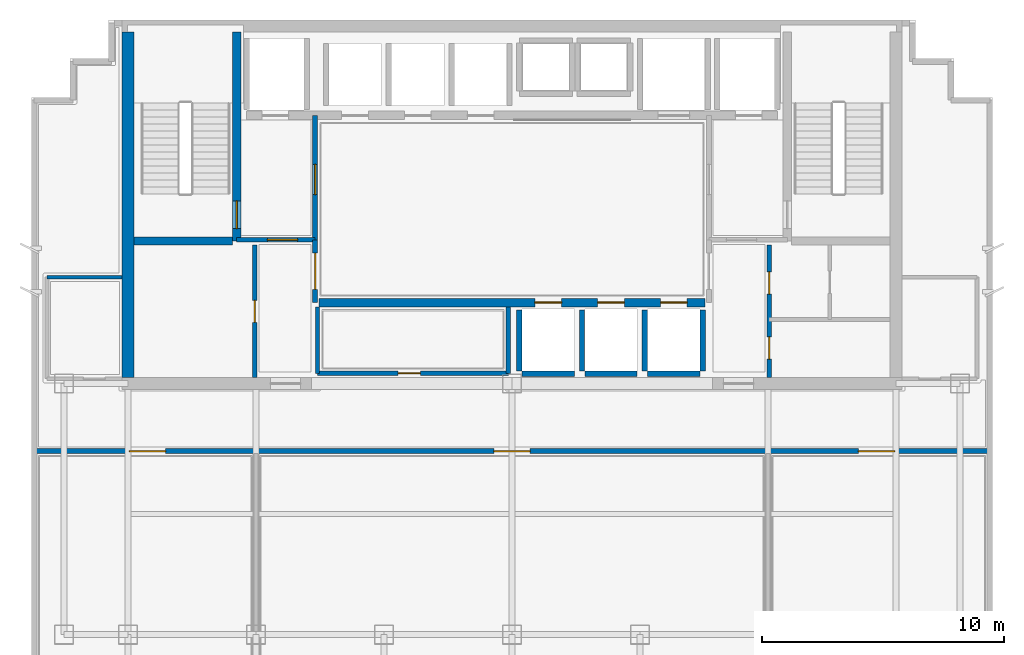
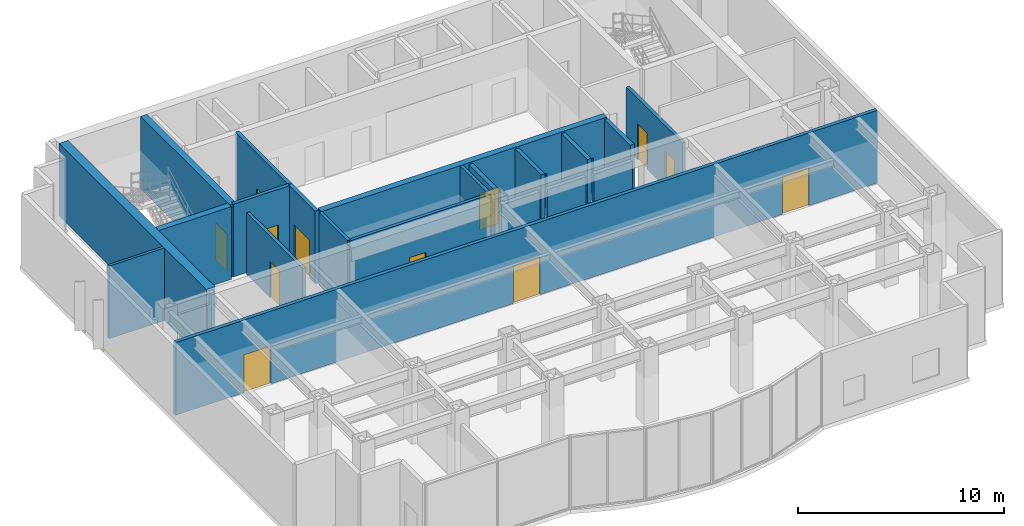
# One storey, part 4 of 8: 21 walls, 14 doors, 14 openings.
"""IFC4 building model written with IfcOpenShell, lengths in metres."""

from ifc_helpers import new_model, si_unit, direction, frame, frame_2d, origin, place, context, subcontext, project, spatial, rectangle, extrude, material, layer, layer_set, type_object, element, fill, save


model = new_model("IFC4")

# Units and contexts
model_context = context("Model", 3, precision=1e-05, world=origin(), true_north=direction((0.0, 1.0)))
body_context = subcontext(model_context, "Body", "Model", "MODEL_VIEW")
ifc_project = project(units=[si_unit("LENGTHUNIT", "METRE"), si_unit("AREAUNIT", "SQUARE_METRE"), si_unit("VOLUMEUNIT", "CUBIC_METRE"), si_unit("PLANEANGLEUNIT", "RADIAN"), si_unit("MASSUNIT", "GRAM", prefix="KILO")], contexts=[model_context])

# Site, building, storey
site_placement = place(None, origin())
site = spatial("IfcSite", under=ifc_project, at=site_placement, CompositionType="ELEMENT")
building_placement = place(site_placement, origin())
building = spatial("IfcBuilding", under=site, at=building_placement, Name="Qianlan Lanfeng Residences", CompositionType="ELEMENT")
storey_placement = place(building_placement, frame((0.0, 0.0, 192.199951171875)))
storey = spatial("IfcBuildingStorey", under=building, at=storey_placement, Name="L52", CompositionType="ELEMENT", Elevation=192.199951171875)

# Wall, opening, door
ifc_material_1 = material(Name="Concrete C49", Category="concrete")
ifc_layer_1 = layer(ifc_material_1, 0.35009765625)
ifc_layer_set_1 = layer_set([ifc_layer_1], Name="Concrete C49")
wall_type_1 = type_object("IfcWallType", Name="CW-RC-350", PredefinedType="SHEAR", material=ifc_layer_set_1)
wall_1_placement = place(storey_placement, frame((15.10009765625, 31.10009765625, 0.0), z_axis=(0.0, 0.0, 1.0), x_axis=(0.0, 1.0, 0.0)))
wall_1 = element("IfcWall", 1, at=wall_1_placement, inside=storey, type_object=wall_type_1, Name="L52 Core Shear Wall ST1E", PredefinedType="SHEAR", context=body_context, shape_type="SweptSolid", body=[
    extrude(rectangle(XDim=8.64990234375, YDim=0.35009765625, at=frame_2d((4.324951171875, 0.0))), origin(), (0.0, 0.0, 1.0), 4.31005859375),
])
opening_1_placement = place(wall_1_placement, frame((0.510009765625, 0.0, 0.0)))
opening_1 = element("IfcOpeningElement", 2, at=opening_1_placement, cuts=wall_1, Name="Opening L52-D07", PredefinedType="OPENING", context=body_context, shape_type="SweptSolid", body=[
    extrude(rectangle(XDim=1.14990234375, YDim=2.199951171875, at=frame_2d((0.574951171875, 1.10009765625))), frame((0.0, 0.18505859375, 0.0), z_axis=(0.0, -1.0, 0.0), x_axis=(1.0, 0.0, 0.0)), (0.0, 0.0, 1.0), 0.3701171875),
])
ifc_material_2 = material(Name="Painted Galvanised Steel Fire Door", Category="steel")
door_type_1 = type_object("IfcDoorType", Name="DT-ST1", OperationType="NOTDEFINED", PredefinedType="DOOR", material=ifc_material_2)
door_1_placement = place(opening_1_placement, frame((1.14990234375, 0.0, 0.0), z_axis=(0.0, 0.0, 1.0), x_axis=(-1.0, 0.0, 0.0)))
door_1 = element("IfcDoor", 3, at=door_1_placement, inside=storey, type_object=door_type_1, Name="L52 Exit Stair ST-1 Door L52-D07 (DT-ST1)", OperationType="SINGLE_SWING_RIGHT", OverallHeight=2.199951171875, OverallWidth=1.14990234375, PredefinedType="DOOR", context=body_context, shape_type="SweptSolid", body=[
    extrude(rectangle(XDim=1.14990234375, YDim=2.199951171875, at=frame_2d((0.574951171875, 1.10009765625))), frame((0.0, 0.02490234375, 0.0), z_axis=(0.0, -1.0, 0.0), x_axis=(1.0, 0.0, 0.0)), (0.0, 0.0, 1.0), 0.050048828125),
])
fill(opening_1, door_1)

# Wall
wall_2_placement = place(storey_placement, frame((10.85009765625, 31.10009765625, 0.0), z_axis=(0.0, 0.0, 1.0), x_axis=(1.0, 0.0, 0.0)))
element("IfcWall", 4, at=wall_2_placement, inside=storey, type_object=wall_type_1, Name="L52 Core Shear Wall ST1S", PredefinedType="SHEAR", context=body_context, shape_type="SweptSolid", body=[
    extrude(rectangle(XDim=4.074951171875, YDim=0.35009765625, at=frame_2d((2.03759765625, 0.0))), origin(), (0.0, 0.0, 1.0), 4.31005859375),
])

# Wall, openings, doors
wall_3_placement = place(storey_placement, frame((18.5, 28.550048828125, 0.0), z_axis=(0.0, 0.0, 1.0), x_axis=(1.0, 0.0, 0.0)))
wall_3 = element("IfcWall", 5, at=wall_3_placement, inside=storey, type_object=wall_type_1, Name="L52 Core Shear Wall LBS", PredefinedType="SHEAR", context=body_context, shape_type="SweptSolid", body=[
    extrude(rectangle(XDim=16.0, YDim=0.35009765625, at=frame_2d((8.0, 0.0))), origin(), (0.0, 0.0, 1.0), 4.31005859375),
])
opening_2_placement = place(wall_3_placement, frame((8.949951171875, 0.0, 0.0)))
opening_2 = element("IfcOpeningElement", 6, at=opening_2_placement, cuts=wall_3, Name="Opening L52-LD-PL-M1", PredefinedType="OPENING", context=body_context, shape_type="SweptSolid", body=[
    extrude(rectangle(XDim=1.10009765625, YDim=2.14990234375, at=frame_2d((0.550048828125, 1.074951171875))), frame((0.0, 0.18505859375, 0.0), z_axis=(0.0, -1.0, 0.0), x_axis=(1.0, 0.0, 0.0)), (0.0, 0.0, 1.0), 0.3701171875),
])
opening_3_placement = place(wall_3_placement, frame((11.550048828125, 0.0, 0.0)))
opening_3 = element("IfcOpeningElement", 7, at=opening_3_placement, cuts=wall_3, Name="Opening L52-LD-PL-M2", PredefinedType="OPENING", context=body_context, shape_type="SweptSolid", body=[
    extrude(rectangle(XDim=1.10009765625, YDim=2.14990234375, at=frame_2d((0.550048828125, 1.074951171875))), frame((0.0, 0.18505859375, 0.0), z_axis=(0.0, -1.0, 0.0), x_axis=(1.0, 0.0, 0.0)), (0.0, 0.0, 1.0), 0.3701171875),
])
opening_4_placement = place(wall_3_placement, frame((14.14990234375, 0.0, 0.0)))
opening_4 = element("IfcOpeningElement", 8, at=opening_4_placement, cuts=wall_3, Name="Opening L52-LD-PL-M3", PredefinedType="OPENING", context=body_context, shape_type="SweptSolid", body=[
    extrude(rectangle(XDim=1.10009765625, YDim=2.14990234375, at=frame_2d((0.550048828125, 1.074951171875))), frame((0.0, 0.18505859375, 0.0), z_axis=(0.0, -1.0, 0.0), x_axis=(1.0, 0.0, 0.0)), (0.0, 0.0, 1.0), 0.3701171875),
])
ifc_material_3 = material(Name="Brushed Stainless Steel Sliding Lift Door", Category="steel")
door_type_2 = type_object("IfcDoorType", Name="LD-01", OperationType="NOTDEFINED", PredefinedType="DOOR", material=ifc_material_3)
door_2_placement = place(opening_2_placement, origin())
door_2 = element("IfcDoor", 9, at=door_2_placement, inside=storey, type_object=door_type_2, Name="L52 Elevator PL-M1 Sliding Landing Door", OperationType="DOUBLE_DOOR_SLIDING", OverallHeight=2.14990234375, OverallWidth=1.10009765625, PredefinedType="DOOR", context=body_context, shape_type="SweptSolid", body=[
    extrude(rectangle(XDim=1.10009765625, YDim=2.14990234375, at=frame_2d((0.550048828125, 1.074951171875))), frame((0.0, 0.02490234375, 0.0), z_axis=(0.0, -1.0, 0.0), x_axis=(1.0, 0.0, 0.0)), (0.0, 0.0, 1.0), 0.050048828125),
])
fill(opening_2, door_2)
door_3_placement = place(opening_3_placement, origin())
door_3 = element("IfcDoor", 10, at=door_3_placement, inside=storey, type_object=door_type_2, Name="L52 Elevator PL-M2 Sliding Landing Door", OperationType="DOUBLE_DOOR_SLIDING", OverallHeight=2.14990234375, OverallWidth=1.10009765625, PredefinedType="DOOR", context=body_context, shape_type="SweptSolid", body=[
    extrude(rectangle(XDim=1.10009765625, YDim=2.14990234375, at=frame_2d((0.550048828125, 1.074951171875))), frame((0.0, 0.02490234375, 0.0), z_axis=(0.0, -1.0, 0.0), x_axis=(1.0, 0.0, 0.0)), (0.0, 0.0, 1.0), 0.050048828125),
])
fill(opening_3, door_3)
door_4_placement = place(opening_4_placement, origin())
door_4 = element("IfcDoor", 11, at=door_4_placement, inside=storey, type_object=door_type_2, Name="L52 Elevator PL-M3 Sliding Landing Door", OperationType="DOUBLE_DOOR_SLIDING", OverallHeight=2.14990234375, OverallWidth=1.10009765625, PredefinedType="DOOR", context=body_context, shape_type="SweptSolid", body=[
    extrude(rectangle(XDim=1.10009765625, YDim=2.14990234375, at=frame_2d((0.550048828125, 1.074951171875))), frame((0.0, 0.02490234375, 0.0), z_axis=(0.0, -1.0, 0.0), x_axis=(1.0, 0.0, 0.0)), (0.0, 0.0, 1.0), 0.050048828125),
])
fill(opening_4, door_4)

# Walls
ifc_material_4 = material(Name="Concrete C70", Category="concrete")
ifc_layer_2 = layer(ifc_material_4, 0.5)
ifc_layer_set_2 = layer_set([ifc_layer_2], Name="Concrete C70")
wall_type_2 = type_object("IfcWallType", Name="CW-RC-500", PredefinedType="SHEAR", material=ifc_layer_set_2)
wall_4_placement = place(storey_placement, frame((10.60009765625, 25.449951171875, 0.0), z_axis=(0.0, 0.0, 1.0), x_axis=(0.0, 1.0, 0.0)))
element("IfcWall", 12, at=wall_4_placement, inside=storey, type_object=wall_type_2, Name="L52 Core Shear Wall W", PredefinedType="SHEAR", context=body_context, shape_type="SweptSolid", body=[
    extrude(rectangle(XDim=14.300048828125, YDim=0.5, at=frame_2d((7.14990234375, 0.0))), origin(), (0.0, 0.0, 1.0), 4.31005859375),
])
ifc_material_5 = material(Name="Acoustic Drywall Partition 150 mm")
ifc_layer_3 = layer(ifc_material_5, 0.14990234375)
ifc_layer_set_3 = layer_set([ifc_layer_3], Name="Acoustic Drywall Partition 150 mm")
wall_type_3 = type_object("IfcWallType", Name="PW-150", PredefinedType="PARTITIONING", material=ifc_layer_set_3)
wall_5_placement = place(storey_placement, frame((7.25, 29.60009765625, 0.0), z_axis=(0.0, 0.0, 1.0), x_axis=(1.0, 0.0, 0.0)))
element("IfcWall", 13, at=wall_5_placement, inside=storey, type_object=wall_type_3, Name="L52 Restroom North Wall", PredefinedType="PARTITIONING", context=body_context, shape_type="SweptSolid", body=[
    extrude(rectangle(XDim=3.10009765625, YDim=0.14990234375, at=frame_2d((1.550048828125, 0.0))), origin(), (0.0, 0.0, 1.0), 4.31005859375),
])

# Wall, opening, door
ifc_material_6 = material(Name="Double-Layer Acoustic Gypsum Stud Wall 180 mm")
ifc_layer_4 = layer(ifc_material_6, 0.179931640625)
ifc_layer_set_4 = layer_set([ifc_layer_4], Name="Double-Layer Acoustic Gypsum Stud Wall 180 mm")
wall_type_4 = type_object("IfcWallType", Name="PW-180", PredefinedType="PARTITIONING", material=ifc_layer_set_4)
wall_6_placement = place(storey_placement, frame((15.85009765625, 25.449951171875, 0.0), z_axis=(0.0, 0.0, 1.0), x_axis=(0.0, 1.0, 0.0)))
wall_6 = element("IfcWall", 14, at=wall_6_placement, inside=storey, type_object=wall_type_4, Name="L52 Core West Service Room Wall", PredefinedType="PARTITIONING", context=body_context, shape_type="SweptSolid", body=[
    extrude(rectangle(XDim=5.47509765625, YDim=0.179931640625, at=frame_2d((2.737548828125, 0.0))), origin(), (0.0, 0.0, 1.0), 3.655029296875),
])
opening_5_placement = place(wall_6_placement, frame((2.277099609375, 0.0, 0.0)))
opening_5 = element("IfcOpeningElement", 15, at=opening_5_placement, cuts=wall_6, Name="Opening L52-D09", PredefinedType="OPENING", context=body_context, shape_type="SweptSolid", body=[
    extrude(rectangle(XDim=0.919921875, YDim=2.14990234375, at=frame_2d((0.4599609375, 1.074951171875))), frame((0.0, 0.10009765625, 0.0), z_axis=(0.0, -1.0, 0.0), x_axis=(1.0, 0.0, 0.0)), (0.0, 0.0, 1.0), 0.199951171875),
])
ifc_material_7 = material(Name="Glazed Timber Kitchen/Study Door", Category="wood")
door_type_3 = type_object("IfcDoorType", Name="DT-INT", OperationType="NOTDEFINED", PredefinedType="DOOR", material=ifc_material_7)
door_5_placement = place(opening_5_placement, origin())
door_5 = element("IfcDoor", 16, at=door_5_placement, inside=storey, type_object=door_type_3, Name="L52 Storage Room Door L52-D09 (DT-INT)", OperationType="SINGLE_SWING_RIGHT", OverallHeight=2.14990234375, OverallWidth=0.919921875, PredefinedType="DOOR", context=body_context, shape_type="SweptSolid", body=[
    extrude(rectangle(XDim=0.919921875, YDim=2.14990234375, at=frame_2d((0.4599609375, 1.074951171875))), frame((0.0, 0.02490234375, 0.0), z_axis=(0.0, -1.0, 0.0), x_axis=(1.0, 0.0, 0.0)), (0.0, 0.0, 1.0), 0.050048828125),
])
fill(opening_5, door_5)

# Wall, openings, doors
wall_7_placement = place(storey_placement, frame((37.14990234375, 25.449951171875, 0.0), z_axis=(0.0, 0.0, 1.0), x_axis=(0.0, 1.0, 0.0)))
wall_7 = element("IfcWall", 17, at=wall_7_placement, inside=storey, type_object=wall_type_4, Name="L52 Core East Service Room Wall", PredefinedType="PARTITIONING", context=body_context, shape_type="SweptSolid", body=[
    extrude(rectangle(XDim=5.47509765625, YDim=0.179931640625, at=frame_2d((2.737548828125, 0.0))), origin(), (0.0, 0.0, 1.0), 3.655029296875),
])
opening_6_placement = place(wall_7_placement, frame((0.764892578125, 0.0, 0.0)))
opening_6 = element("IfcOpeningElement", 18, at=opening_6_placement, cuts=wall_7, Name="Opening L52-D10", PredefinedType="OPENING", context=body_context, shape_type="SweptSolid", body=[
    extrude(rectangle(XDim=0.919921875, YDim=2.14990234375, at=frame_2d((0.4599609375, 1.074951171875))), frame((0.0, 0.10009765625, 0.0), z_axis=(0.0, -1.0, 0.0), x_axis=(1.0, 0.0, 0.0)), (0.0, 0.0, 1.0), 0.199951171875),
])
opening_7_placement = place(wall_7_placement, frame((3.451904296875, 0.0, 0.0)))
opening_7 = element("IfcOpeningElement", 19, at=opening_7_placement, cuts=wall_7, Name="Opening L52-D11", PredefinedType="OPENING", context=body_context, shape_type="SweptSolid", body=[
    extrude(rectangle(XDim=0.919921875, YDim=2.14990234375, at=frame_2d((0.4599609375, 1.074951171875))), frame((0.0, 0.10009765625, 0.0), z_axis=(0.0, -1.0, 0.0), x_axis=(1.0, 0.0, 0.0)), (0.0, 0.0, 1.0), 0.199951171875),
])
door_6_placement = place(opening_6_placement, origin())
door_6 = element("IfcDoor", 20, at=door_6_placement, inside=storey, type_object=door_type_3, Name="L52 Refuse Room Door L52-D10 (DT-INT)", OperationType="SINGLE_SWING_LEFT", OverallHeight=2.14990234375, OverallWidth=0.919921875, PredefinedType="DOOR", context=body_context, shape_type="SweptSolid", body=[
    extrude(rectangle(XDim=0.919921875, YDim=2.14990234375, at=frame_2d((0.4599609375, 1.074951171875))), frame((0.0, 0.02490234375, 0.0), z_axis=(0.0, -1.0, 0.0), x_axis=(1.0, 0.0, 0.0)), (0.0, 0.0, 1.0), 0.050048828125),
])
fill(opening_6, door_6)
door_7_placement = place(opening_7_placement, origin())
door_7 = element("IfcDoor", 21, at=door_7_placement, inside=storey, type_object=door_type_3, Name="L52 Janitor Outer Door L52-D11 (DT-INT)", OperationType="SINGLE_SWING_RIGHT", OverallHeight=2.14990234375, OverallWidth=0.919921875, PredefinedType="DOOR", context=body_context, shape_type="SweptSolid", body=[
    extrude(rectangle(XDim=0.919921875, YDim=2.14990234375, at=frame_2d((0.4599609375, 1.074951171875))), frame((0.0, 0.02490234375, 0.0), z_axis=(0.0, -1.0, 0.0), x_axis=(1.0, 0.0, 0.0)), (0.0, 0.0, 1.0), 0.050048828125),
])
fill(opening_7, door_7)

# Walls
for number, where, z_axis, x_axis, name in (
    (22, (18.449951171875, 25.6201171875, 0.0), (0.0, 0.0, 1.0), (0.0, 1.0, 0.0), "L52 Reclaimed Low-Bank Room West Wall"),
    (23, (26.35009765625, 25.6201171875, 0.0), (0.0, 0.0, 1.0), (0.0, 1.0, 0.0), "L52 Reclaimed Low-Bank Room East Wall"),
):
    element("IfcWall", number, at=place(storey_placement, frame(where, z_axis=z_axis, x_axis=x_axis)), inside=storey, type_object=wall_type_4, Name=name, PredefinedType="PARTITIONING", context=body_context, shape_type="SweptSolid", body=[
        extrude(rectangle(XDim=2.7548828125, YDim=0.179931640625, at=frame_2d((1.37744140625, 0.0))), origin(), (0.0, 0.0, 1.0), 4.31005859375),
    ])

# Wall, opening, door
wall_8_placement = place(storey_placement, frame((18.449951171875, 25.6201171875, 0.0), z_axis=(0.0, 0.0, 1.0), x_axis=(1.0, 0.0, 0.0)))
wall_8 = element("IfcWall", 24, at=wall_8_placement, inside=storey, type_object=wall_type_4, Name="L52 Reclaimed Low-Bank Room South Wall", PredefinedType="PARTITIONING", context=body_context, shape_type="SweptSolid", body=[
    extrude(rectangle(XDim=7.900146484375, YDim=0.179931640625, at=frame_2d((3.9501953125, 0.0))), origin(), (0.0, 0.0, 1.0), 4.31005859375),
])
opening_8_placement = place(wall_8_placement, frame((3.340087890625, 0.0, 0.0)))
opening_8 = element("IfcOpeningElement", 25, at=opening_8_placement, cuts=wall_8, Name="Opening L52-D15", PredefinedType="OPENING", context=body_context, shape_type="SweptSolid", body=[
    extrude(rectangle(XDim=0.919921875, YDim=2.14990234375, at=frame_2d((0.4599609375, 1.074951171875))), frame((0.0, 0.10009765625, 0.0), z_axis=(0.0, -1.0, 0.0), x_axis=(1.0, 0.0, 0.0)), (0.0, 0.0, 1.0), 0.199951171875),
])
door_8_placement = place(opening_8_placement, origin())
door_8 = element("IfcDoor", 26, at=door_8_placement, inside=storey, type_object=door_type_3, Name="L52 Reclaimed Core Salon Door L52-D15 (DT-INT)", OperationType="SINGLE_SWING_RIGHT", OverallHeight=2.14990234375, OverallWidth=0.919921875, PredefinedType="DOOR", context=body_context, shape_type="SweptSolid", body=[
    extrude(rectangle(XDim=0.919921875, YDim=2.14990234375, at=frame_2d((0.4599609375, 1.074951171875))), frame((0.0, 0.02490234375, 0.0), z_axis=(0.0, -1.0, 0.0), x_axis=(1.0, 0.0, 0.0)), (0.0, 0.0, 1.0), 0.050048828125),
])
fill(opening_8, door_8)

ifc_material_8 = material(Name="Autoclaved Aerated Concrete Blockwork 200 mm", Category="masonry")
ifc_layer_5 = layer(ifc_material_8, 0.199951171875)
ifc_layer_set_5 = layer_set([ifc_layer_5], Name="Autoclaved Aerated Concrete Blockwork 200 mm")
wall_type_5 = type_object("IfcWallType", Name="PW-200", PredefinedType="PARTITIONING", material=ifc_layer_set_5)
wall_9_placement = place(storey_placement, frame((15.10009765625, 31.14990234375, 0.0), z_axis=(0.0, 0.0, 1.0), x_axis=(1.0, 0.0, 0.0)))
wall_9 = element("IfcWall", 27, at=wall_9_placement, inside=storey, type_object=wall_type_5, Name="L52 Firefighting Lobby 1 South Wall", PredefinedType="PARTITIONING", context=body_context, shape_type="SweptSolid", body=[
    extrude(rectangle(XDim=3.25, YDim=0.199951171875, at=frame_2d((1.625, 0.0))), origin(), (0.0, 0.0, 1.0), 4.31005859375),
])
opening_9_placement = place(wall_9_placement, frame((1.27490234375, 0.0, 0.0)))
opening_9 = element("IfcOpeningElement", 28, at=opening_9_placement, cuts=wall_9, Name="Opening L52-D03", PredefinedType="OPENING", context=body_context, shape_type="SweptSolid", body=[
    extrude(rectangle(XDim=1.25, YDim=2.199951171875, at=frame_2d((0.625, 1.10009765625))), frame((0.0, 0.10986328125, 0.0), z_axis=(0.0, -1.0, 0.0), x_axis=(1.0, 0.0, 0.0)), (0.0, 0.0, 1.0), 0.219970703125),
])
door_type_4 = type_object("IfcDoorType", Name="DT-FFL", OperationType="NOTDEFINED", PredefinedType="DOOR", material=ifc_material_2)
door_9_placement = place(opening_9_placement, origin())
door_9 = element("IfcDoor", 29, at=door_9_placement, inside=storey, type_object=door_type_4, Name="L52 Firefighting Lobby 1 Entry Door L52-D03 (DT-FFL)", OperationType="SINGLE_SWING_LEFT", OverallHeight=2.199951171875, OverallWidth=1.25, PredefinedType="DOOR", context=body_context, shape_type="SweptSolid", body=[
    extrude(rectangle(XDim=1.25, YDim=2.199951171875, at=frame_2d((0.625, 1.10009765625))), frame((0.0, 0.02490234375, 0.0), z_axis=(0.0, -1.0, 0.0), x_axis=(1.0, 0.0, 0.0)), (0.0, 0.0, 1.0), 0.050048828125),
])
fill(opening_9, door_9)

wall_10_placement = place(storey_placement, frame((18.35009765625, 31.14990234375, 0.0), z_axis=(0.0, 0.0, 1.0), x_axis=(0.0, 1.0, 0.0)))
wall_10 = element("IfcWall", 30, at=wall_10_placement, inside=storey, type_object=wall_type_5, Name="L52 Firefighting Lobby 1 East Wall", PredefinedType="PARTITIONING", context=body_context, shape_type="SweptSolid", body=[
    extrude(rectangle(XDim=5.150146484375, YDim=0.199951171875, at=frame_2d((2.5751953125, 0.0))), origin(), (0.0, 0.0, 1.0), 4.31005859375),
])
opening_10_placement = place(wall_10_placement, frame((1.875, 0.0, 0.0)))
opening_10 = element("IfcOpeningElement", 31, at=opening_10_placement, cuts=wall_10, Name="Opening L52-D04", PredefinedType="OPENING", context=body_context, shape_type="SweptSolid", body=[
    extrude(rectangle(XDim=1.25, YDim=2.199951171875, at=frame_2d((0.625, 1.10009765625))), frame((0.0, 0.10986328125, 0.0), z_axis=(0.0, -1.0, 0.0), x_axis=(1.0, 0.0, 0.0)), (0.0, 0.0, 1.0), 0.219970703125),
])
door_10_placement = place(opening_10_placement, origin())
door_10 = element("IfcDoor", 32, at=door_10_placement, inside=storey, type_object=door_type_4, Name="L52 Firefighting Lobby 1 Lift Lobby Door L52-D04 (DT-FFL)", OperationType="SINGLE_SWING_LEFT", OverallHeight=2.199951171875, OverallWidth=1.25, PredefinedType="DOOR", context=body_context, shape_type="SweptSolid", body=[
    extrude(rectangle(XDim=1.25, YDim=2.199951171875, at=frame_2d((0.625, 1.10009765625))), frame((0.0, 0.02490234375, 0.0), z_axis=(0.0, -1.0, 0.0), x_axis=(1.0, 0.0, 0.0)), (0.0, 0.0, 1.0), 0.050048828125),
])
fill(opening_10, door_10)

wall_11_placement = place(storey_placement, frame((18.35009765625, 28.550048828125, 0.0), z_axis=(0.0, 0.0, 1.0), x_axis=(0.0, 1.0, 0.0)))
wall_11 = element("IfcWall", 33, at=wall_11_placement, inside=storey, type_object=wall_type_5, Name="L52 Lift Lobby West Connector Wall", PredefinedType="PARTITIONING", context=body_context, shape_type="SweptSolid", body=[
    extrude(rectangle(XDim=2.599853515625, YDim=0.199951171875, at=frame_2d((1.2998046875, 0.0))), origin(), (0.0, 0.0, 1.0), 4.31005859375),
])
opening_11_placement = place(wall_11_placement, frame((0.550048828125, 0.0, 0.0)))
opening_11 = element("IfcOpeningElement", 34, at=opening_11_placement, cuts=wall_11, Name="Opening L52-D13", PredefinedType="OPENING", context=body_context, shape_type="SweptSolid", body=[
    extrude(rectangle(XDim=1.5, YDim=2.25, at=frame_2d((0.75, 1.125))), frame((0.0, 0.10986328125, 0.0), z_axis=(0.0, -1.0, 0.0), x_axis=(1.0, 0.0, 0.0)), (0.0, 0.0, 1.0), 0.219970703125),
])
ifc_material_9 = material(Name="Timber Veneer Acoustic Fire Door", Category="wood")
door_type_5 = type_object("IfcDoorType", Name="DT-COR1", OperationType="NOTDEFINED", PredefinedType="DOOR", material=ifc_material_9)
door_11_placement = place(opening_11_placement, origin())
door_11 = element("IfcDoor", 35, at=door_11_placement, inside=storey, type_object=door_type_5, Name="L52 Lift Lobby West Portal Door L52-D13 (DT-COR1)", OperationType="DOUBLE_DOOR_SINGLE_SWING", OverallHeight=2.25, OverallWidth=1.5, PredefinedType="DOOR", context=body_context, shape_type="SweptSolid", body=[
    extrude(rectangle(XDim=1.5, YDim=2.25, at=frame_2d((0.75, 1.125))), frame((0.0, 0.02490234375, 0.0), z_axis=(0.0, -1.0, 0.0), x_axis=(1.0, 0.0, 0.0)), (0.0, 0.0, 1.0), 0.050048828125),
])
fill(opening_11, door_11)

# Wall, openings, doors
wall_12_placement = place(storey_placement, frame((6.820068359375, 22.39990234375, 0.0), z_axis=(0.0, 0.0, 1.0), x_axis=(1.0, 0.0, 0.0)))
wall_12 = element("IfcWall", 36, at=wall_12_placement, inside=storey, type_object=wall_type_5, Name="L52 Sky Lobby Concourse Wall", PredefinedType="PARTITIONING", context=body_context, shape_type="SweptSolid", body=[
    extrude(rectangle(XDim=39.35986328125, YDim=0.199951171875, at=frame_2d((19.679931640625, 0.0))), origin(), (0.0, 0.0, 1.0), 4.31005859375),
])
opening_12_placement = place(wall_12_placement, frame((3.840087890625, 0.0, 0.0)))
opening_12 = element("IfcOpeningElement", 37, at=opening_12_placement, cuts=wall_12, Name="Opening L52-D16", PredefinedType="OPENING", context=body_context, shape_type="SweptSolid", body=[
    extrude(rectangle(XDim=1.5, YDim=2.25, at=frame_2d((0.75, 1.125))), frame((0.0, 0.10986328125, 0.0), z_axis=(0.0, -1.0, 0.0), x_axis=(1.0, 0.0, 0.0)), (0.0, 0.0, 1.0), 0.219970703125),
])
opening_13_placement = place(wall_12_placement, frame((18.929931640625, 0.0, 0.0)))
opening_13 = element("IfcOpeningElement", 38, at=opening_13_placement, cuts=wall_12, Name="Opening L52-D17", PredefinedType="OPENING", context=body_context, shape_type="SweptSolid", body=[
    extrude(rectangle(XDim=1.5, YDim=2.25, at=frame_2d((0.75, 1.125))), frame((0.0, 0.10986328125, 0.0), z_axis=(0.0, -1.0, 0.0), x_axis=(1.0, 0.0, 0.0)), (0.0, 0.0, 1.0), 0.219970703125),
])
opening_14_placement = place(wall_12_placement, frame((34.02001953125, 0.0, 0.0)))
opening_14 = element("IfcOpeningElement", 39, at=opening_14_placement, cuts=wall_12, Name="Opening L52-D18", PredefinedType="OPENING", context=body_context, shape_type="SweptSolid", body=[
    extrude(rectangle(XDim=1.5, YDim=2.25, at=frame_2d((0.75, 1.125))), frame((0.0, 0.10986328125, 0.0), z_axis=(0.0, -1.0, 0.0), x_axis=(1.0, 0.0, 0.0)), (0.0, 0.0, 1.0), 0.219970703125),
])
door_12_placement = place(opening_12_placement, origin())
door_12 = element("IfcDoor", 40, at=door_12_placement, inside=storey, type_object=door_type_5, Name="L52 Executive Wine Salon Door L52-D16 (DT-COR1)", OperationType="DOUBLE_DOOR_SINGLE_SWING", OverallHeight=2.25, OverallWidth=1.5, PredefinedType="DOOR", context=body_context, shape_type="SweptSolid", body=[
    extrude(rectangle(XDim=1.5, YDim=2.25, at=frame_2d((0.75, 1.125))), frame((0.0, 0.02490234375, 0.0), z_axis=(0.0, -1.0, 0.0), x_axis=(1.0, 0.0, 0.0)), (0.0, 0.0, 1.0), 0.050048828125),
])
fill(opening_12, door_12)
door_13_placement = place(opening_13_placement, origin())
door_13 = element("IfcDoor", 41, at=door_13_placement, inside=storey, type_object=door_type_5, Name="L52 Harbour Viewing Lounge Door L52-D17 (DT-COR1)", OperationType="DOUBLE_DOOR_SINGLE_SWING", OverallHeight=2.25, OverallWidth=1.5, PredefinedType="DOOR", context=body_context, shape_type="SweptSolid", body=[
    extrude(rectangle(XDim=1.5, YDim=2.25, at=frame_2d((0.75, 1.125))), frame((0.0, 0.02490234375, 0.0), z_axis=(0.0, -1.0, 0.0), x_axis=(1.0, 0.0, 0.0)), (0.0, 0.0, 1.0), 0.050048828125),
])
fill(opening_13, door_13)
door_14_placement = place(opening_14_placement, origin())
door_14 = element("IfcDoor", 42, at=door_14_placement, inside=storey, type_object=door_type_5, Name="L52 Conservatory Salon Door L52-D18 (DT-COR1)", OperationType="DOUBLE_DOOR_SINGLE_SWING", OverallHeight=2.25, OverallWidth=1.5, PredefinedType="DOOR", context=body_context, shape_type="SweptSolid", body=[
    extrude(rectangle(XDim=1.5, YDim=2.25, at=frame_2d((0.75, 1.125))), frame((0.0, 0.02490234375, 0.0), z_axis=(0.0, -1.0, 0.0), x_axis=(1.0, 0.0, 0.0)), (0.0, 0.0, 1.0), 0.050048828125),
])
fill(opening_14, door_14)

# Walls
ifc_layer_6 = layer(ifc_material_1, 0.219970703125)
ifc_layer_set_6 = layer_set([ifc_layer_6], Name="Concrete C49")
wall_type_6 = type_object("IfcWallType", Name="SHW-220", PredefinedType="SOLIDWALL", material=ifc_layer_set_6)
wall_13_placement = place(storey_placement, frame((26.800048828125, 25.719970703125, 0.0), z_axis=(0.0, 0.0, 1.0), x_axis=(0.0, 1.0, 0.0)))
element("IfcWall", 43, at=wall_13_placement, inside=storey, type_object=wall_type_6, Name="L52 Lift PL-M1 Shaft Wall W", PredefinedType="SOLIDWALL", context=body_context, shape_type="SweptSolid", body=[
    extrude(rectangle(XDim=2.530029296875, YDim=0.219970703125, at=frame_2d((1.26513671875, 0.0))), origin(), (0.0, 0.0, 1.0), 4.31005859375),
])
wall_14_placement = place(storey_placement, frame((26.919921875, 25.60009765625, 0.0), z_axis=(0.0, 0.0, 1.0), x_axis=(1.0, 0.0, 0.0)))
element("IfcWall", 44, at=wall_14_placement, inside=storey, type_object=wall_type_6, Name="L52 Lift PL-M1 Shaft Back Wall S", PredefinedType="SOLIDWALL", context=body_context, shape_type="SweptSolid", body=[
    extrude(rectangle(XDim=2.16015625, YDim=0.219970703125, at=frame_2d((1.080078125, 0.0))), origin(), (0.0, 0.0, 1.0), 3.505126953125),
])
wall_15_placement = place(storey_placement, frame((29.39990234375, 25.719970703125, 0.0), z_axis=(0.0, 0.0, 1.0), x_axis=(0.0, 1.0, 0.0)))
element("IfcWall", 45, at=wall_15_placement, inside=storey, type_object=wall_type_6, Name="L52 Lift PL-M2 Shaft Wall W", PredefinedType="SOLIDWALL", context=body_context, shape_type="SweptSolid", body=[
    extrude(rectangle(XDim=2.530029296875, YDim=0.219970703125, at=frame_2d((1.26513671875, 0.0))), origin(), (0.0, 0.0, 1.0), 4.31005859375),
])
wall_16_placement = place(storey_placement, frame((29.52001953125, 25.60009765625, 0.0), z_axis=(0.0, 0.0, 1.0), x_axis=(1.0, 0.0, 0.0)))
element("IfcWall", 46, at=wall_16_placement, inside=storey, type_object=wall_type_6, Name="L52 Lift PL-M2 Shaft Back Wall S", PredefinedType="SOLIDWALL", context=body_context, shape_type="SweptSolid", body=[
    extrude(rectangle(XDim=2.159912109375, YDim=0.219970703125, at=frame_2d((1.080078125, 0.0))), origin(), (0.0, 0.0, 1.0), 3.505126953125),
])
for number, where, z_axis, x_axis, name in (
    (47, (32.0, 25.719970703125, 0.0), (0.0, 0.0, 1.0), (0.0, 1.0, 0.0), "L52 Lift PL-M3 Shaft Wall W"),
    (48, (34.39990234375, 25.719970703125, 0.0), (0.0, 0.0, 1.0), (0.0, 1.0, 0.0), "L52 Lift PL-M3 Shaft Wall E"),
):
    element("IfcWall", number, at=place(storey_placement, frame(where, z_axis=z_axis, x_axis=x_axis)), inside=storey, type_object=wall_type_6, Name=name, PredefinedType="SOLIDWALL", context=body_context, shape_type="SweptSolid", body=[
        extrude(rectangle(XDim=2.530029296875, YDim=0.219970703125, at=frame_2d((1.26513671875, 0.0))), origin(), (0.0, 0.0, 1.0), 4.31005859375),
    ])
wall_17_placement = place(storey_placement, frame((32.1201171875, 25.60009765625, 0.0), z_axis=(0.0, 0.0, 1.0), x_axis=(1.0, 0.0, 0.0)))
element("IfcWall", 49, at=wall_17_placement, inside=storey, type_object=wall_type_6, Name="L52 Lift PL-M3 Shaft Back Wall S", PredefinedType="SOLIDWALL", context=body_context, shape_type="SweptSolid", body=[
    extrude(rectangle(XDim=2.159912109375, YDim=0.219970703125, at=frame_2d((1.080078125, 0.0))), origin(), (0.0, 0.0, 1.0), 3.505126953125),
])

save(model, "model.ifc")
